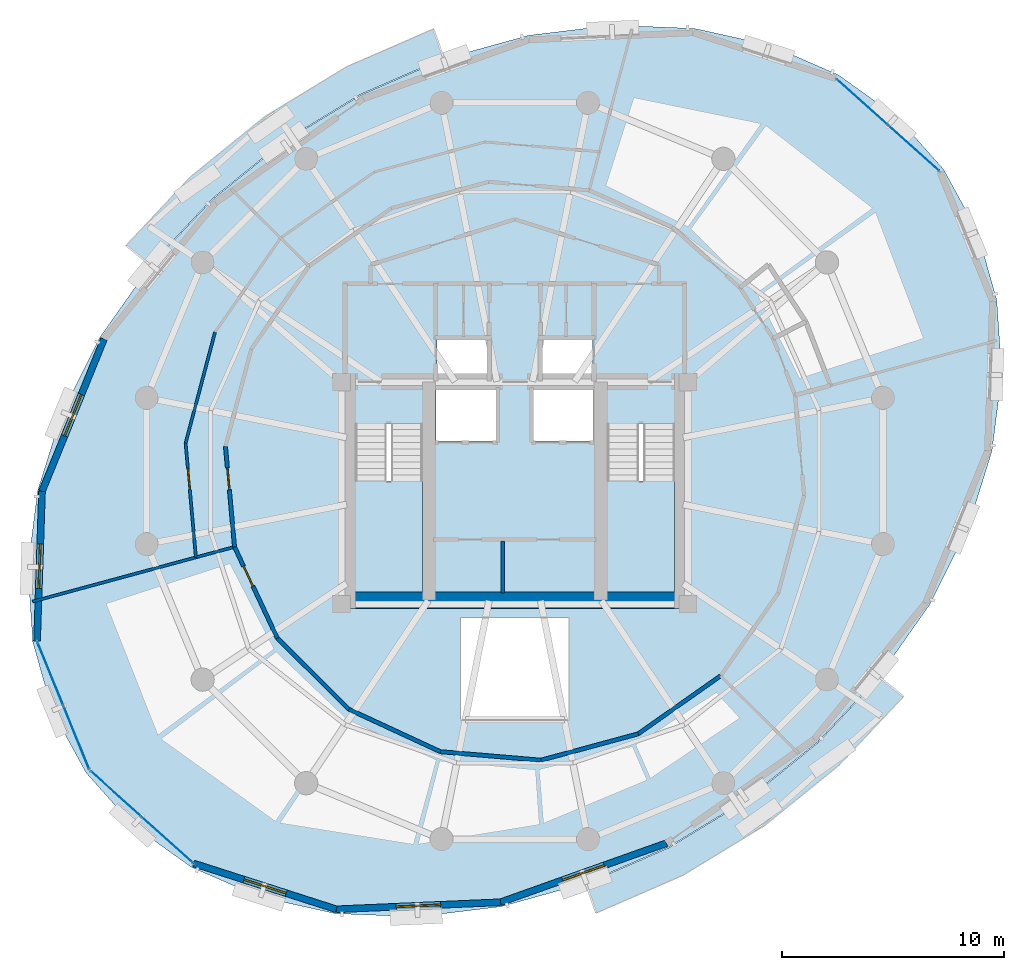
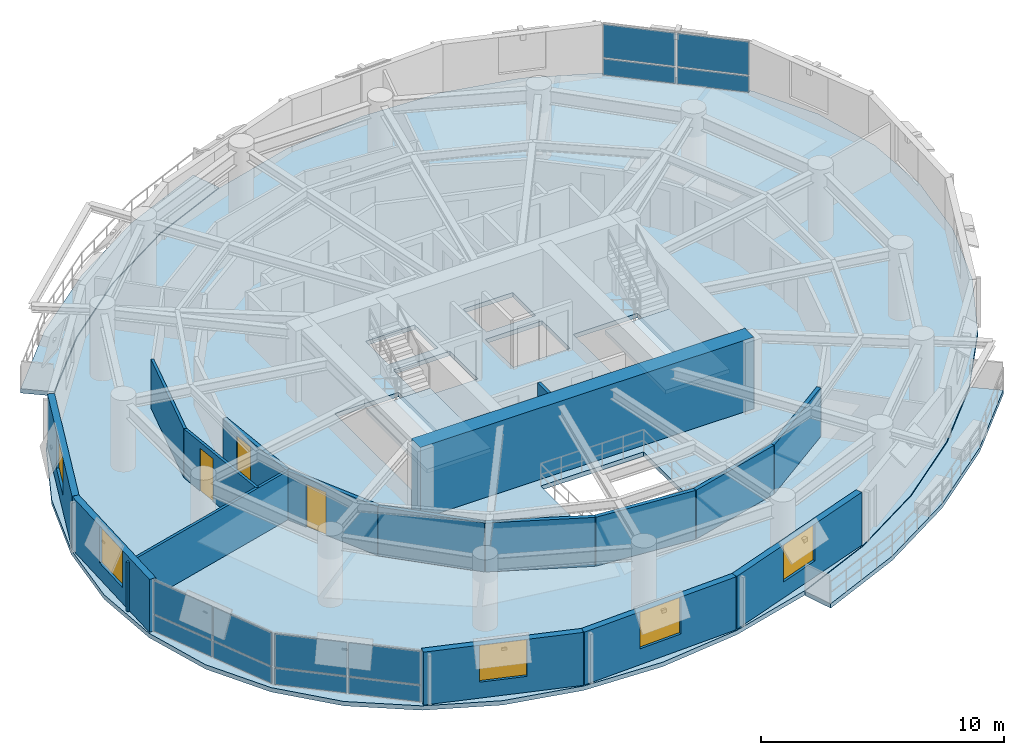
# One storey, part 6 of 11: 17 walls, 12 plates, 5 slabs, 5 windows, 3 doors, 8 openings, 5 elements without a shape of their own.
"""IFC4 building model written with IfcOpenShell, lengths in metres."""

from ifc_helpers import new_model, si_unit, direction, frame, frame_2d, origin, origin_2d, place, context, subcontext, project, spatial, polyline, rectangle, outline, extrude, material, layer, layer_set, type_object, element, fill, aggregate, save


model = new_model("IFC4")

# Units and contexts
model_context = context("Model", 3, precision=1e-05, world=origin(), true_north=direction((0.0, 1.0)))
body_context = subcontext(model_context, "Body", "Model", "MODEL_VIEW")
ifc_project = project(units=[si_unit("LENGTHUNIT", "METRE"), si_unit("AREAUNIT", "SQUARE_METRE"), si_unit("VOLUMEUNIT", "CUBIC_METRE"), si_unit("PLANEANGLEUNIT", "RADIAN"), si_unit("MASSUNIT", "GRAM", prefix="KILO"), si_unit("THERMODYNAMICTEMPERATUREUNIT", "KELVIN"), si_unit("POWERUNIT", "WATT")], contexts=[model_context])

# Site, building, storey
site_placement = place(None, origin())
site = spatial("IfcSite", under=ifc_project, at=site_placement, CompositionType="ELEMENT")
building_placement = place(site_placement, origin())
building = spatial("IfcBuilding", under=site, at=building_placement, Name="Ocrelia Relay Tower", CompositionType="ELEMENT")
storey_placement = place(building_placement, frame((0.0, 0.0, 180.800048828125)))
storey = spatial("IfcBuildingStorey", under=building, at=storey_placement, Name="L43", CompositionType="ELEMENT", Elevation=180.800048828125)

# Curtain wall, plates
ifc_material_1 = material(Name="Aluminium and solar-control low-E glass", Category="aluminium")
ifc_layer_1 = layer(ifc_material_1, 0.179931640625, Name="Aluminium and solar-control low-E glass")
ifc_layer_set_1 = layer_set([ifc_layer_1], Name="Aluminium and solar-control low-E glass")
curtain_wall_type = type_object("IfcCurtainWallType", Name="CW-SYS-Z3-CLOU", PredefinedType="NOTDEFINED", material=ifc_layer_set_1)
curtain_wall_1_placement = place(storey_placement, origin())
curtain_wall_1 = element("IfcCurtainWall", 1, at=curtain_wall_1_placement, inside=storey, type_object=curtain_wall_type, Name="L43 Elliptical Tower Curtain Wall Bay 01", PredefinedType="NOTDEFINED")
ifc_material_2 = material(Name="Clear double-glazed low-E glass", Category="glass")
ifc_layer_2 = layer(ifc_material_2, 0.031982421875, Name="Clear double-glazed low-E glass")
ifc_layer_set_2 = layer_set([ifc_layer_2], Name="Clear double-glazed low-E glass")
plate_type = type_object("IfcPlateType", Name="CW-SYS-Z3-CLOU-PNL", PredefinedType="CURTAIN_PANEL", material=ifc_layer_set_2)
plate_1_placement = place(storey_placement, frame((51.951171875, 40.531005859375, 0.059814453125), z_axis=(0.0, 0.0, 1.0), x_axis=(-0.744665730889, 0.66743759951, 0.0)))
plate_1 = element("IfcPlate", 2, at=plate_1_placement, type_object=plate_type, Name="CW-Z3 panel 1.1", PredefinedType="CURTAIN_PANEL", context=body_context, shape_type="SweptSolid", body=[
    extrude(rectangle(XDim=3.0439453125, YDim=0.031982421875, at=origin_2d()), origin(), (0.0, 0.0, 1.0), 0.81005859375),
])
plate_2_placement = place(storey_placement, frame((51.951171875, 40.531005859375, 0.929931640625), z_axis=(0.0, 0.0, 1.0), x_axis=(-0.744665730889, 0.66743759951, 0.0)))
plate_2 = element("IfcPlate", 3, at=plate_2_placement, type_object=plate_type, Name="CW-Z3 panel 1.2", PredefinedType="CURTAIN_PANEL", context=body_context, shape_type="SweptSolid", body=[
    extrude(rectangle(XDim=3.0439453125, YDim=0.031982421875, at=origin_2d()), origin(), (0.0, 0.0, 1.0), 1.669921875),
])
plate_3_placement = place(storey_placement, frame((49.63623046875, 42.60595703125, 0.059814453125), z_axis=(0.0, 0.0, 1.0), x_axis=(-0.744665730889, 0.66743759951, 0.0)))
plate_3 = element("IfcPlate", 4, at=plate_3_placement, type_object=plate_type, Name="CW-Z3 panel 2.1", PredefinedType="CURTAIN_PANEL", context=body_context, shape_type="SweptSolid", body=[
    extrude(rectangle(XDim=3.0439453125, YDim=0.031982421875, at=origin_2d()), origin(), (0.0, 0.0, 1.0), 0.81005859375),
])
plate_4_placement = place(storey_placement, frame((49.63623046875, 42.60595703125, 0.929931640625), z_axis=(0.0, 0.0, 1.0), x_axis=(-0.744665730889, 0.66743759951, 0.0)))
plate_4 = element("IfcPlate", 5, at=plate_4_placement, type_object=plate_type, Name="CW-Z3 panel 2.2", PredefinedType="CURTAIN_PANEL", context=body_context, shape_type="SweptSolid", body=[
    extrude(rectangle(XDim=3.0439453125, YDim=0.031982421875, at=origin_2d()), origin(), (0.0, 0.0, 1.0), 1.669921875),
])
aggregate(curtain_wall_1, [plate_1, plate_2, plate_3, plate_4])

curtain_wall_2_placement = place(storey_placement, origin())
curtain_wall_2 = element("IfcCurtainWall", 6, at=curtain_wall_2_placement, inside=storey, type_object=curtain_wall_type, Name="L43 Elliptical Tower Curtain Wall Bay 09", PredefinedType="NOTDEFINED")
plate_5_placement = place(storey_placement, frame((13.09521484375, 16.876708984375, 0.059814453125), z_axis=(0.0, 0.0, 1.0), x_axis=(0.377340873582, -0.92607443822, 0.0)))
plate_5 = element("IfcPlate", 7, at=plate_5_placement, type_object=plate_type, Name="CW-Z3 panel 1.1", PredefinedType="CURTAIN_PANEL", context=body_context, shape_type="SweptSolid", body=[
    extrude(rectangle(XDim=3.0439453125, YDim=0.031982421875, at=origin_2d()), origin(), (0.0, 0.0, 1.0), 0.81005859375),
])
plate_6_placement = place(storey_placement, frame((13.09521484375, 16.876708984375, 0.929931640625), z_axis=(0.0, 0.0, 1.0), x_axis=(0.377340873582, -0.92607443822, 0.0)))
plate_6 = element("IfcPlate", 8, at=plate_6_placement, type_object=plate_type, Name="CW-Z3 panel 1.2", PredefinedType="CURTAIN_PANEL", context=body_context, shape_type="SweptSolid", body=[
    extrude(rectangle(XDim=3.0439453125, YDim=0.031982421875, at=origin_2d()), origin(), (0.0, 0.0, 1.0), 1.669921875),
])
plate_7_placement = place(storey_placement, frame((14.268310546875, 13.997802734375, 0.059814453125), z_axis=(0.0, 0.0, 1.0), x_axis=(0.377340873582, -0.92607443822, 0.0)))
plate_7 = element("IfcPlate", 9, at=plate_7_placement, type_object=plate_type, Name="CW-Z3 panel 2.1", PredefinedType="CURTAIN_PANEL", context=body_context, shape_type="SweptSolid", body=[
    extrude(rectangle(XDim=3.0439453125, YDim=0.031982421875, at=origin_2d()), origin(), (0.0, 0.0, 1.0), 0.81005859375),
])
plate_8_placement = place(storey_placement, frame((14.268310546875, 13.997802734375, 0.929931640625), z_axis=(0.0, 0.0, 1.0), x_axis=(0.377340873582, -0.92607443822, 0.0)))
plate_8 = element("IfcPlate", 10, at=plate_8_placement, type_object=plate_type, Name="CW-Z3 panel 2.2", PredefinedType="CURTAIN_PANEL", context=body_context, shape_type="SweptSolid", body=[
    extrude(rectangle(XDim=3.0439453125, YDim=0.031982421875, at=origin_2d()), origin(), (0.0, 0.0, 1.0), 1.669921875),
])
aggregate(curtain_wall_2, [plate_5, plate_6, plate_7, plate_8])

curtain_wall_3_placement = place(storey_placement, origin())
curtain_wall_3 = element("IfcCurtainWall", 11, at=curtain_wall_3_placement, inside=storey, type_object=curtain_wall_type, Name="L43 Elliptical Tower Curtain Wall Bay 10", PredefinedType="NOTDEFINED")
plate_9_placement = place(storey_placement, frame((16.048828125, 11.468994140625, 0.059814453125), z_axis=(0.0, 0.0, 1.0), x_axis=(0.744665730889, -0.66743759951, 0.0)))
plate_9 = element("IfcPlate", 12, at=plate_9_placement, type_object=plate_type, Name="CW-Z3 panel 1.1", PredefinedType="CURTAIN_PANEL", context=body_context, shape_type="SweptSolid", body=[
    extrude(rectangle(XDim=3.0439453125, YDim=0.031982421875, at=origin_2d()), origin(), (0.0, 0.0, 1.0), 0.81005859375),
])
plate_10_placement = place(storey_placement, frame((16.048828125, 11.468994140625, 0.929931640625), z_axis=(0.0, 0.0, 1.0), x_axis=(0.744665730889, -0.66743759951, 0.0)))
plate_10 = element("IfcPlate", 13, at=plate_10_placement, type_object=plate_type, Name="CW-Z3 panel 1.2", PredefinedType="CURTAIN_PANEL", context=body_context, shape_type="SweptSolid", body=[
    extrude(rectangle(XDim=3.0439453125, YDim=0.031982421875, at=origin_2d()), origin(), (0.0, 0.0, 1.0), 1.669921875),
])
plate_11_placement = place(storey_placement, frame((18.36376953125, 9.39404296875, 0.059814453125), z_axis=(0.0, 0.0, 1.0), x_axis=(0.744665730889, -0.66743759951, 0.0)))
plate_11 = element("IfcPlate", 14, at=plate_11_placement, type_object=plate_type, Name="CW-Z3 panel 2.1", PredefinedType="CURTAIN_PANEL", context=body_context, shape_type="SweptSolid", body=[
    extrude(rectangle(XDim=3.0439453125, YDim=0.031982421875, at=origin_2d()), origin(), (0.0, 0.0, 1.0), 0.81005859375),
])
plate_12_placement = place(storey_placement, frame((18.36376953125, 9.39404296875, 0.929931640625), z_axis=(0.0, 0.0, 1.0), x_axis=(0.744665730889, -0.66743759951, 0.0)))
plate_12 = element("IfcPlate", 15, at=plate_12_placement, type_object=plate_type, Name="CW-Z3 panel 2.2", PredefinedType="CURTAIN_PANEL", context=body_context, shape_type="SweptSolid", body=[
    extrude(rectangle(XDim=3.0439453125, YDim=0.031982421875, at=origin_2d()), origin(), (0.0, 0.0, 1.0), 1.669921875),
])
aggregate(curtain_wall_3, [plate_9, plate_10, plate_11, plate_12])

# Slabs
ifc_material_3 = material(Name="Precast concrete C40/50", Category="concrete")
ifc_layer_3 = layer(ifc_material_3, 0.219970703125, Name="Precast concrete C40/50")
ifc_layer_set_3 = layer_set([ifc_layer_3], Name="Precast concrete C40/50")
slab_type_1 = type_object("IfcSlabType", Name="SL-BALC-220", PredefinedType="FLOOR", material=ifc_layer_set_3)
slab_1_placement = place(storey_placement, frame((0.0, 0.0, -0.219970703125)))
element("IfcSlab", 16, at=slab_1_placement, inside=storey, type_object=slab_type_1, Name="L43 Planted Loggia Balcony B1", PredefinedType="FLOOR", context=body_context, shape_type="SweptSolid", body=[
    extrude(outline(polyline([(30.797607421875, 44.582275390625), (28.936279296875, 43.771484375), (27.07470703125, 42.960693359375), (23.562255859375, 40.823974609375), (20.366455078125, 38.2373046875), (18.9755859375, 36.758056640625), (17.584716796875, 35.27880859375), (16.5048828125, 36.15966796875), (17.9619140625, 37.708984375), (19.418701171875, 39.25830078125), (22.760009765625, 41.963134765625), (26.43310546875, 44.197265625), (28.3828125, 45.04638671875), (30.33251953125, 45.895751953125), (30.797607421875, 44.582275390625)])), origin(), (0.0, 0.0, 1.0), 0.219970703125),
])
slab_2_placement = place(storey_placement, frame((0.0, 0.0, -0.219970703125)))
element("IfcSlab", 17, at=slab_2_placement, inside=storey, type_object=slab_type_1, Name="L43 Planted Loggia Balcony B2", PredefinedType="FLOOR", context=body_context, shape_type="SweptSolid", body=[
    extrude(outline(polyline([(37.202392578125, 7.417724609375), (39.063720703125, 8.228515625), (40.92529296875, 9.039306640625), (44.437744140625, 11.176025390625), (47.633544921875, 13.7626953125), (49.0244140625, 15.241943359375), (50.415283203125, 16.72119140625), (51.4951171875, 15.84033203125), (50.0380859375, 14.291015625), (48.581298828125, 12.74169921875), (45.239990234375, 10.036865234375), (41.56689453125, 7.802734375), (39.6171875, 6.95361328125), (37.66748046875, 6.104248046875), (37.202392578125, 7.417724609375)])), origin(), (0.0, 0.0, 1.0), 0.219970703125),
])
ifc_material_4 = material(Name="Concrete C50/60", Category="concrete")
ifc_layer_4 = layer(ifc_material_4, 0.219970703125, Name="Concrete C50/60")
ifc_layer_set_4 = layer_set([ifc_layer_4], Name="Concrete C50/60")
slab_type_2 = type_object("IfcSlabType", Name="SL-FLR-220", PredefinedType="FLOOR", material=ifc_layer_set_4)
slab_3_placement = place(storey_placement, frame((0.0, 0.0, -0.219970703125)))
element("IfcSlab", 18, at=slab_3_placement, inside=storey, type_object=slab_type_2, Name="L43 Elliptical Tower Floor Slab", PredefinedType="FLOOR", context=body_context, shape_type="SweptSolid", body=[
    extrude(outline(polyline([(53.29638671875, 39.5869140625), (51.19384765625, 41.950439453125), (48.568603515625, 43.829345703125), (45.5009765625, 45.16650390625), (42.083740234375, 45.921142578125), (38.4208984375, 46.070556640625), (34.623779296875, 45.610107421875), (30.8076171875, 44.553955078125), (27.088623046875, 42.933837890625), (23.57958984375, 40.79931640625), (20.386962890625, 38.215087890625), (17.608154296875, 35.260009765625), (15.327392578125, 32.023193359375), (13.614013671875, 28.603515625), (12.52001953125, 25.104736328125), (12.07861328125, 21.633056640625), (12.30322265625, 18.294189453125), (13.187255859375, 15.189208984375), (14.70361328125, 12.4130859375), (16.80615234375, 10.049560546875), (19.431396484375, 8.170654296875), (22.4990234375, 6.83349609375), (25.916259765625, 6.078857421875), (29.5791015625, 5.929443359375), (33.376220703125, 6.389892578125), (37.1923828125, 7.446044921875), (40.911376953125, 9.066162109375), (44.42041015625, 11.20068359375), (47.613037109375, 13.784912109375), (50.391845703125, 16.739990234375), (52.672607421875, 19.976806640625), (54.385986328125, 23.396484375), (55.47998046875, 26.895263671875), (55.92138671875, 30.366943359375), (55.69677734375, 33.705810546875), (54.812744140625, 36.810791015625), (53.29638671875, 39.5869140625)]), holes=[polyline([(26.81005859375, 28.14990234375), (26.81005859375, 20.550048828125), (29.85009765625, 20.550048828125), (29.85009765625, 28.14990234375), (26.81005859375, 28.14990234375)]), polyline([(38.159912109375, 28.14990234375), (38.159912109375, 20.550048828125), (41.199951171875, 20.550048828125), (41.199951171875, 28.14990234375), (38.159912109375, 28.14990234375)]), polyline([(30.4599609375, 27.35009765625), (33.159912109375, 27.35009765625), (33.159912109375, 29.64990234375), (30.4599609375, 29.64990234375), (30.4599609375, 27.35009765625)]), polyline([(34.840087890625, 27.35009765625), (37.5400390625, 27.35009765625), (37.5400390625, 29.64990234375), (34.840087890625, 29.64990234375), (34.840087890625, 27.35009765625)]), polyline([(30.5, 30.10009765625), (32.85009765625, 30.10009765625), (32.85009765625, 32.0), (30.5, 32.0), (30.5, 30.10009765625)]), polyline([(35.14990234375, 30.10009765625), (37.5, 30.10009765625), (37.5, 32.0), (35.14990234375, 32.0), (35.14990234375, 30.10009765625)]), polyline([(31.550048828125, 14.800048828125), (36.449951171875, 14.800048828125), (36.449951171875, 19.39990234375), (31.550048828125, 19.39990234375), (31.550048828125, 14.800048828125)])]), origin(), (0.0, 0.0, 1.0), 0.219970703125),
])

# Stair, slab
stair_type = type_object("IfcStairType", Name="ST-DL-1420-R180", PredefinedType="HALF_TURN_STAIR", material=ifc_material_4)
stair_1_placement = place(storey_placement, origin())
stair_1 = element("IfcStair", 19, at=stair_1_placement, inside=storey, type_object=stair_type, Name="L43 West Core Exit Stair ST1", PredefinedType="HALF_TURN_STAIR")
ifc_layer_5 = layer(ifc_material_4, 0.199951171875, Name="Concrete C50/60")
ifc_layer_set_5 = layer_set([ifc_layer_5], Name="Concrete C50/60")
slab_type_3 = type_object("IfcSlabType", Name="SL-LANDING-200", PredefinedType="LANDING", material=ifc_layer_set_5)
slab_4_placement = place(storey_placement, frame((0.0, 0.0, 1.599853515625)))
slab_4 = element("IfcSlab", 20, at=slab_4_placement, type_object=slab_type_3, Name="ST1 landing 1", PredefinedType="LANDING", context=body_context, shape_type="SweptSolid", body=[
    extrude(outline(polyline([(26.81005859375, 25.5400390625), (26.81005859375, 20.550048828125), (29.85009765625, 20.550048828125), (29.85009765625, 25.5400390625), (26.81005859375, 25.5400390625)])), origin(), (0.0, 0.0, 1.0), 0.2001953125),
])
aggregate(stair_1, [slab_4])

stair_2_placement = place(storey_placement, origin())
stair_2 = element("IfcStair", 21, at=stair_2_placement, inside=storey, type_object=stair_type, Name="L43 East Core Exit Stair ST2", PredefinedType="HALF_TURN_STAIR")
slab_5_placement = place(storey_placement, frame((0.0, 0.0, 1.599853515625)))
slab_5 = element("IfcSlab", 22, at=slab_5_placement, type_object=slab_type_3, Name="ST2 landing 1", PredefinedType="LANDING", context=body_context, shape_type="SweptSolid", body=[
    extrude(outline(polyline([(38.159912109375, 25.5400390625), (38.159912109375, 20.550048828125), (41.199951171875, 20.550048828125), (41.199951171875, 25.5400390625), (38.159912109375, 25.5400390625)])), origin(), (0.0, 0.0, 1.0), 0.2001953125),
])
aggregate(stair_2, [slab_5])

# Wall
ifc_material_5 = material(Name="Concrete C60/75", Category="concrete")
ifc_layer_6 = layer(ifc_material_5, 0.75, Name="Concrete C60/75")
ifc_layer_set_6 = layer_set([ifc_layer_6], Name="Concrete C60/75")
wall_type_1 = type_object("IfcWallType", Name="CW-CORE-750", PredefinedType="SHEAR", material=ifc_layer_set_6)
wall_1_placement = place(storey_placement, frame((26.072021484375, 20.18701171875, 0.0), z_axis=(0.0, 0.0, 1.0), x_axis=(1.0, 0.0, 0.0)))
element("IfcWall", 23, at=wall_1_placement, inside=storey, type_object=wall_type_1, Name="L43 Core Shear Wall S", PredefinedType="SHEAR", context=body_context, shape_type="SweptSolid", body=[
    extrude(rectangle(XDim=15.865966796875, YDim=0.75, at=frame_2d((7.93310546875, 0.0))), origin(), (0.0, 0.0, 1.0), 3.599853515625),
])

# Wall, opening, door
ifc_material_6 = material(Name="Gypsum Fireboard Partition EI60", Category="gypsum")
ifc_layer_7 = layer(ifc_material_6, 0.179931640625, Name="Gypsum Fireboard Partition EI60")
ifc_layer_set_7 = layer_set([ifc_layer_7], Name="Gypsum Fireboard Partition EI60")
wall_type_2 = type_object("IfcWallType", Name="W-CORR-EI60-180", PredefinedType="PARTITIONING", material=ifc_layer_set_7)
wall_2_placement = place(storey_placement, frame((20.976806640625, 27.10498046875, 0.0), z_axis=(0.0, 0.0, 1.0), x_axis=(0.089769483635, -0.995962569481, 0.0)))
wall_2 = element("IfcWall", 24, at=wall_2_placement, inside=storey, type_object=wall_type_2, Name="L43 Innovation Club Room Corridor Partition 3", PredefinedType="PARTITIONING", context=body_context, shape_type="SweptSolid", body=[
    extrude(rectangle(XDim=4.5390625, YDim=0.179931640625, at=frame_2d((2.26953125, 0.0))), origin(), (0.0, 0.0, 1.0), 2.4599609375),
])
opening_1_placement = place(wall_2_placement, frame((0.959716796875, 0.0, 0.0)))
opening_1 = element("IfcOpeningElement", 25, at=opening_1_placement, cuts=wall_2, Name="Opening D-RM100", PredefinedType="OPENING", context=body_context, shape_type="SweptSolid", body=[
    extrude(rectangle(XDim=1.0, YDim=2.14990234375, at=frame_2d((0.5, 1.074951171875))), frame((0.0, 0.10009765625, 0.0), z_axis=(0.0, -1.0, 0.0), x_axis=(1.0, 0.0, 0.0)), (0.0, 0.0, 1.0), 0.199951171875),
])
ifc_material_7 = material(Name="Acoustic oak veneer fire door", Category="wood")
door_type_1 = type_object("IfcDoorType", Name="DR-ROOM-FD60-1000", OperationType="NOTDEFINED", PredefinedType="DOOR", material=ifc_material_7)
door_1_placement = place(opening_1_placement, origin())
door_1 = element("IfcDoor", 26, at=door_1_placement, inside=storey, type_object=door_type_1, Name="L43 Innovation Club Room Entrance Door", OperationType="SINGLE_SWING_LEFT", OverallHeight=2.14990234375, OverallWidth=1.0, PredefinedType="DOOR", context=body_context, shape_type="SweptSolid", body=[
    extrude(rectangle(XDim=1.0, YDim=2.14990234375, at=frame_2d((0.5, 1.074951171875))), frame((0.0, 0.02490234375, 0.0), z_axis=(0.0, -1.0, 0.0), x_axis=(1.0, 0.0, 0.0)), (0.0, 0.0, 1.0), 0.050048828125),
])
fill(opening_1, door_1)

wall_3_placement = place(storey_placement, frame((21.38427734375, 22.584228515625, 0.0), z_axis=(0.0, 0.0, 1.0), x_axis=(0.424960205989, -0.905212032248, 0.0)))
wall_3 = element("IfcWall", 27, at=wall_3_placement, inside=storey, type_object=wall_type_2, Name="L43 Spectrum Operations Office Corridor Partition 1", PredefinedType="PARTITIONING", context=body_context, shape_type="SweptSolid", body=[
    extrude(rectangle(XDim=4.5390625, YDim=0.179931640625, at=frame_2d((2.26953125, 0.0))), origin(), (0.0, 0.0, 1.0), 2.4599609375),
])
opening_2_placement = place(wall_3_placement, frame((0.959716796875, 0.0, 0.0)))
opening_2 = element("IfcOpeningElement", 28, at=opening_2_placement, cuts=wall_3, Name="Opening D-RM100", PredefinedType="OPENING", context=body_context, shape_type="SweptSolid", body=[
    extrude(rectangle(XDim=1.0, YDim=2.14990234375, at=frame_2d((0.5, 1.074951171875))), frame((0.0, 0.10009765625, 0.0), z_axis=(0.0, -1.0, 0.0), x_axis=(1.0, 0.0, 0.0)), (0.0, 0.0, 1.0), 0.199951171875),
])
door_2_placement = place(opening_2_placement, origin())
door_2 = element("IfcDoor", 29, at=door_2_placement, inside=storey, type_object=door_type_1, Name="L43 Spectrum Operations Office Entrance Door", OperationType="SINGLE_SWING_LEFT", OverallHeight=2.14990234375, OverallWidth=1.0, PredefinedType="DOOR", context=body_context, shape_type="SweptSolid", body=[
    extrude(rectangle(XDim=1.0, YDim=2.14990234375, at=frame_2d((0.5, 1.074951171875))), frame((0.0, 0.02490234375, 0.0), z_axis=(0.0, -1.0, 0.0), x_axis=(1.0, 0.0, 0.0)), (0.0, 0.0, 1.0), 0.050048828125),
])
fill(opening_2, door_2)

# Walls
for number, where, z_axis, x_axis, name in (
    (30, (23.313232421875, 18.475341796875, 0.0), (0.0, 0.0, 1.0), (0.708986731496, -0.705221819403, 0.0), "L43 Spectrum Operations Office Corridor Partition 2"),
    (31, (26.531494140625, 15.274169921875, 0.0), (0.0, 0.0, 1.0), (0.907398164441, -0.420272020446, 0.0), "L43 Spectrum Operations Office Corridor Partition 3"),
):
    element("IfcWall", number, at=place(storey_placement, frame(where, z_axis=z_axis, x_axis=x_axis)), inside=storey, type_object=wall_type_2, Name=name, PredefinedType="PARTITIONING", context=body_context, shape_type="SweptSolid", body=[
        extrude(rectangle(XDim=4.539306640625, YDim=0.179931640625, at=frame_2d((2.26953125, 0.0))), origin(), (0.0, 0.0, 1.0), 2.4599609375),
    ])
wall_4_placement = place(storey_placement, frame((30.650390625, 13.366455078125, 0.0), z_axis=(0.0, 0.0, 1.0), x_axis=(0.996423393866, -0.084501006843, 0.0)))
element("IfcWall", 32, at=wall_4_placement, inside=storey, type_object=wall_type_2, Name="L43 Spectrum Operations Office Corridor Partition 4", PredefinedType="PARTITIONING", context=body_context, shape_type="SweptSolid", body=[
    extrude(rectangle(XDim=4.538818359375, YDim=0.179931640625, at=frame_2d((2.26953125, 0.0))), origin(), (0.0, 0.0, 1.0), 2.4599609375),
])
wall_5_placement = place(storey_placement, frame((35.173095703125, 12.98291015625, 0.0), z_axis=(0.0, 0.0, 1.0), x_axis=(0.965248703795, 0.261333005613, 0.0)))
element("IfcWall", 33, at=wall_5_placement, inside=storey, type_object=wall_type_2, Name="L43 Spectrum Operations Office Corridor Partition 5", PredefinedType="PARTITIONING", context=body_context, shape_type="SweptSolid", body=[
    extrude(rectangle(XDim=4.539306640625, YDim=0.179931640625, at=frame_2d((2.26953125, 0.0))), origin(), (0.0, 0.0, 1.0), 2.4599609375),
])
wall_6_placement = place(storey_placement, frame((39.5546875, 14.169189453125, 0.0), z_axis=(0.0, 0.0, 1.0), x_axis=(0.817672323989, 0.575683915515, 0.0)))
element("IfcWall", 34, at=wall_6_placement, inside=storey, type_object=wall_type_2, Name="L43 Spectrum Operations Office Corridor Partition 6", PredefinedType="PARTITIONING", context=body_context, shape_type="SweptSolid", body=[
    extrude(rectangle(XDim=4.5390625, YDim=0.179931640625, at=frame_2d((2.26953125, 0.0))), origin(), (0.0, 0.0, 1.0), 2.4599609375),
])

# Wall, opening, window
ifc_material_8 = material(Name="Precast concrete C40/50 with oxide terracotta", Category="masonry")
ifc_layer_8 = layer(ifc_material_8, 0.300048828125, Name="Precast concrete C40/50 with oxide terracotta")
ifc_layer_set_8 = layer_set([ifc_layer_8], Name="Precast concrete C40/50 with oxide terracotta")
wall_type_3 = type_object("IfcWallType", Name="W-EXT-TERR-300", PredefinedType="SOLIDWALL", material=ifc_layer_set_8)
wall_7_placement = place(storey_placement, frame((15.5087890625, 31.939208984375, 0.0), z_axis=(0.0, 0.0, 1.0), x_axis=(-0.377124954744, -0.926162387764, 0.0)))
wall_7 = element("IfcWall", 35, at=wall_7_placement, inside=storey, type_object=wall_type_3, Name="L43 Oxide Terracotta Facade Wall 07", PredefinedType="SOLIDWALL", context=body_context, shape_type="SweptSolid", body=[
    extrude(rectangle(XDim=7.3974609375, YDim=0.300048828125, at=frame_2d((3.69873046875, 0.0))), origin(), (0.0, 0.0, 1.0), 2.659912109375),
])
opening_3_placement = place(wall_7_placement, frame((2.698974609375, 0.0, 0.800048828125)))
opening_3 = element("IfcOpeningElement", 36, at=opening_3_placement, cuts=wall_7, Name="Opening W-03", PredefinedType="OPENING", context=body_context, shape_type="SweptSolid", body=[
    extrude(rectangle(XDim=2.0, YDim=1.85009765625, at=frame_2d((1.0, 0.925048828125))), frame((0.0, 0.16015625, 0.0), z_axis=(0.0, -1.0, 0.0), x_axis=(1.0, 0.0, 0.0)), (0.0, 0.0, 1.0), 0.320068359375),
])
window_type = type_object("IfcWindowType", Name="WIN-Z3-2000x2200", PartitioningType="DOUBLE_PANEL_VERTICAL", PredefinedType="WINDOW", material=ifc_material_2)
window_1_placement = place(opening_3_placement, origin())
window_1 = element("IfcWindow", 37, at=window_1_placement, inside=storey, type_object=window_type, Name="L43 Facade Module Window 07", OverallHeight=1.85009765625, OverallWidth=2.0, PartitioningType="SINGLE_PANEL", PredefinedType="WINDOW", context=body_context, shape_type="SweptSolid", body=[
    extrude(rectangle(XDim=2.0, YDim=1.85009765625, at=frame_2d((1.0, 0.925048828125))), frame((0.0, 0.030029296875, 0.0), z_axis=(0.0, -1.0, 0.0), x_axis=(1.0, 0.0, 0.0)), (0.0, 0.0, 1.0), 0.06005859375),
])
fill(opening_3, window_1)

wall_8_placement = place(storey_placement, frame((12.718994140625, 25.087890625, 0.0), z_axis=(0.0, 0.0, 1.0), x_axis=(-0.033009922207, -0.999455024019, 0.0)))
wall_8 = element("IfcWall", 38, at=wall_8_placement, inside=storey, type_object=wall_type_3, Name="L43 Oxide Terracotta Facade Wall 08", PredefinedType="SOLIDWALL", context=body_context, shape_type="SweptSolid", body=[
    extrude(rectangle(XDim=6.7451171875, YDim=0.300048828125, at=frame_2d((3.37255859375, 0.0))), origin(), (0.0, 0.0, 1.0), 2.659912109375),
])
opening_4_placement = place(wall_8_placement, frame((2.373046875, 0.0, 0.800048828125)))
opening_4 = element("IfcOpeningElement", 39, at=opening_4_placement, cuts=wall_8, Name="Opening W-03", PredefinedType="OPENING", context=body_context, shape_type="SweptSolid", body=[
    extrude(rectangle(XDim=2.0, YDim=1.85009765625, at=frame_2d((1.0, 0.925048828125))), frame((0.0, 0.16015625, 0.0), z_axis=(0.0, -1.0, 0.0), x_axis=(1.0, 0.0, 0.0)), (0.0, 0.0, 1.0), 0.320068359375),
])
window_2_placement = place(opening_4_placement, origin())
window_2 = element("IfcWindow", 40, at=window_2_placement, inside=storey, type_object=window_type, Name="L43 Facade Module Window 08", OverallHeight=1.85009765625, OverallWidth=2.0, PartitioningType="SINGLE_PANEL", PredefinedType="WINDOW", context=body_context, shape_type="SweptSolid", body=[
    extrude(rectangle(XDim=2.0, YDim=1.85009765625, at=frame_2d((1.0, 0.925048828125))), frame((0.0, 0.030029296875, 0.0), z_axis=(0.0, -1.0, 0.0), x_axis=(1.0, 0.0, 0.0)), (0.0, 0.0, 1.0), 0.06005859375),
])
fill(opening_4, window_2)

wall_9_placement = place(storey_placement, frame((19.54541015625, 8.3349609375, 0.0), z_axis=(0.0, 0.0, 1.0), x_axis=(0.952093689629, -0.305806484838, 0.0)))
wall_9 = element("IfcWall", 41, at=wall_9_placement, inside=storey, type_object=wall_type_3, Name="L43 Oxide Terracotta Facade Wall 11", PredefinedType="SOLIDWALL", context=body_context, shape_type="SweptSolid", body=[
    extrude(rectangle(XDim=6.745361328125, YDim=0.300048828125, at=frame_2d((3.37255859375, 0.0))), origin(), (0.0, 0.0, 1.0), 2.659912109375),
])
opening_5_placement = place(wall_9_placement, frame((2.373046875, 0.0, 0.800048828125)))
opening_5 = element("IfcOpeningElement", 42, at=opening_5_placement, cuts=wall_9, Name="Opening W-03", PredefinedType="OPENING", context=body_context, shape_type="SweptSolid", body=[
    extrude(rectangle(XDim=2.0, YDim=1.85009765625, at=frame_2d((1.0, 0.925048828125))), frame((0.0, 0.16015625, 0.0), z_axis=(0.0, -1.0, 0.0), x_axis=(1.0, 0.0, 0.0)), (0.0, 0.0, 1.0), 0.320068359375),
])
window_3_placement = place(opening_5_placement, origin())
window_3 = element("IfcWindow", 43, at=window_3_placement, inside=storey, type_object=window_type, Name="L43 Facade Module Window 11", OverallHeight=1.85009765625, OverallWidth=2.0, PartitioningType="SINGLE_PANEL", PredefinedType="WINDOW", context=body_context, shape_type="SweptSolid", body=[
    extrude(rectangle(XDim=2.0, YDim=1.85009765625, at=frame_2d((1.0, 0.925048828125))), frame((0.0, 0.030029296875, 0.0), z_axis=(0.0, -1.0, 0.0), x_axis=(1.0, 0.0, 0.0)), (0.0, 0.0, 1.0), 0.06005859375),
])
fill(opening_5, window_3)

wall_10_placement = place(storey_placement, frame((25.967529296875, 6.272216796875, 0.0), z_axis=(0.0, 0.0, 1.0), x_axis=(0.999082008159, 0.042838545408, 0.0)))
wall_10 = element("IfcWall", 44, at=wall_10_placement, inside=storey, type_object=wall_type_3, Name="L43 Oxide Terracotta Facade Wall 12", PredefinedType="SOLIDWALL", context=body_context, shape_type="SweptSolid", body=[
    extrude(rectangle(XDim=7.3974609375, YDim=0.300048828125, at=frame_2d((3.69873046875, 0.0))), origin(), (0.0, 0.0, 1.0), 2.659912109375),
])
opening_6_placement = place(wall_10_placement, frame((2.698974609375, 0.0, 0.800048828125)))
opening_6 = element("IfcOpeningElement", 45, at=opening_6_placement, cuts=wall_10, Name="Opening W-03", PredefinedType="OPENING", context=body_context, shape_type="SweptSolid", body=[
    extrude(rectangle(XDim=2.0, YDim=1.85009765625, at=frame_2d((1.0, 0.925048828125))), frame((0.0, 0.16015625, 0.0), z_axis=(0.0, -1.0, 0.0), x_axis=(1.0, 0.0, 0.0)), (0.0, 0.0, 1.0), 0.320068359375),
])
window_4_placement = place(opening_6_placement, origin())
window_4 = element("IfcWindow", 46, at=window_4_placement, inside=storey, type_object=window_type, Name="L43 Facade Module Window 12", OverallHeight=1.85009765625, OverallWidth=2.0, PartitioningType="SINGLE_PANEL", PredefinedType="WINDOW", context=body_context, shape_type="SweptSolid", body=[
    extrude(rectangle(XDim=2.0, YDim=1.85009765625, at=frame_2d((1.0, 0.925048828125))), frame((0.0, 0.030029296875, 0.0), z_axis=(0.0, -1.0, 0.0), x_axis=(1.0, 0.0, 0.0)), (0.0, 0.0, 1.0), 0.06005859375),
])
fill(opening_6, window_4)

wall_11_placement = place(storey_placement, frame((33.358154296875, 6.589111328125, 0.0), z_axis=(0.0, 0.0, 1.0), x_axis=(0.942112030953, 0.335298256979, 0.0)))
wall_11 = element("IfcWall", 47, at=wall_11_placement, inside=storey, type_object=wall_type_3, Name="L43 Oxide Terracotta Facade Wall 13", PredefinedType="SOLIDWALL", context=body_context, shape_type="SweptSolid", body=[
    extrude(rectangle(XDim=7.92724609375, YDim=0.300048828125, at=frame_2d((3.963623046875, 0.0))), origin(), (0.0, 0.0, 1.0), 2.659912109375),
])
opening_7_placement = place(wall_11_placement, frame((2.964111328125, 0.0, 0.800048828125)))
opening_7 = element("IfcOpeningElement", 48, at=opening_7_placement, cuts=wall_11, Name="Opening W-03", PredefinedType="OPENING", context=body_context, shape_type="SweptSolid", body=[
    extrude(rectangle(XDim=2.0, YDim=1.85009765625, at=frame_2d((1.0, 0.925048828125))), frame((0.0, 0.16015625, 0.0), z_axis=(0.0, -1.0, 0.0), x_axis=(1.0, 0.0, 0.0)), (0.0, 0.0, 1.0), 0.320068359375),
])
window_5_placement = place(opening_7_placement, origin())
window_5 = element("IfcWindow", 49, at=window_5_placement, inside=storey, type_object=window_type, Name="L43 Facade Module Window 13", OverallHeight=1.85009765625, OverallWidth=2.0, PartitioningType="SINGLE_PANEL", PredefinedType="WINDOW", context=body_context, shape_type="SweptSolid", body=[
    extrude(rectangle(XDim=2.0, YDim=1.85009765625, at=frame_2d((1.0, 0.925048828125))), frame((0.0, 0.030029296875, 0.0), z_axis=(0.0, -1.0, 0.0), x_axis=(1.0, 0.0, 0.0)), (0.0, 0.0, 1.0), 0.06005859375),
])
fill(opening_7, window_5)

# Walls
ifc_material_9 = material(Name="Acoustic Fireboard Partition EI60", Category="gypsum")
ifc_layer_9 = layer(ifc_material_9, 0.125, Name="Acoustic Fireboard Partition EI60")
ifc_layer_set_9 = layer_set([ifc_layer_9], Name="Acoustic Fireboard Partition EI60")
wall_type_4 = type_object("IfcWallType", Name="W-PART-125", PredefinedType="PARTITIONING", material=ifc_layer_set_9)
wall_12_placement = place(storey_placement, frame((21.38427734375, 22.584228515625, 0.0), z_axis=(0.0, 0.0, 1.0), x_axis=(-0.965243270731, -0.261353072122, 0.0)))
element("IfcWall", 50, at=wall_12_placement, inside=storey, type_object=wall_type_4, Name="L43 Innovation Club Room Radial Partition", PredefinedType="PARTITIONING", context=body_context, shape_type="SweptSolid", body=[
    extrude(rectangle(XDim=9.416259765625, YDim=0.125, at=frame_2d((4.7080078125, 0.0))), origin(), (0.0, 0.0, 1.0), 2.4599609375),
])
wall_13_placement = place(storey_placement, frame((20.5068359375, 32.2490234375, 0.0), z_axis=(0.0, 0.0, 1.0), x_axis=(-0.256314822001, -0.966593354013, 0.0)))
element("IfcWall", 51, at=wall_13_placement, inside=storey, type_object=wall_type_4, Name="L43 Perimeter Innovation Club Room Mid-Ring Partition 2", PredefinedType="PARTITIONING", context=body_context, shape_type="SweptSolid", body=[
    extrude(rectangle(XDim=5.16455078125, YDim=0.125, at=frame_2d((2.582275390625, 0.0))), origin(), (0.0, 0.0, 1.0), 2.4599609375),
])

# Wall, opening, door
wall_14_placement = place(storey_placement, frame((19.18310546875, 27.257080078125, 0.0), z_axis=(0.0, 0.0, 1.0), x_axis=(0.089776979935, -0.995961893786, 0.0)))
wall_14 = element("IfcWall", 52, at=wall_14_placement, inside=storey, type_object=wall_type_4, Name="L43 Perimeter Innovation Club Room Mid-Ring Partition 3", PredefinedType="PARTITIONING", context=body_context, shape_type="SweptSolid", body=[
    extrude(rectangle(XDim=5.1640625, YDim=0.125, at=frame_2d((2.58203125, 0.0))), origin(), (0.0, 0.0, 1.0), 2.4599609375),
])
opening_8_placement = place(wall_14_placement, frame((1.1435546875, 0.0, 0.0)))
opening_8 = element("IfcOpeningElement", 53, at=opening_8_placement, cuts=wall_14, Name="Opening D-RM95", PredefinedType="OPENING", context=body_context, shape_type="SweptSolid", body=[
    extrude(rectangle(XDim=0.949951171875, YDim=2.14990234375, at=frame_2d((0.47509765625, 1.074951171875))), frame((0.0, 0.072509765625, 0.0), z_axis=(0.0, -1.0, 0.0), x_axis=(1.0, 0.0, 0.0)), (0.0, 0.0, 1.0), 0.14501953125),
])
door_type_2 = type_object("IfcDoorType", Name="DR-ROOM-950", OperationType="NOTDEFINED", PredefinedType="DOOR", material=ifc_material_7)
door_3_placement = place(opening_8_placement, origin())
door_3 = element("IfcDoor", 54, at=door_3_placement, inside=storey, type_object=door_type_2, Name="L43 Perimeter Innovation Club Room Connecting Door", OperationType="SINGLE_SWING_RIGHT", OverallHeight=2.14990234375, OverallWidth=0.949951171875, PredefinedType="DOOR", context=body_context, shape_type="SweptSolid", body=[
    extrude(rectangle(XDim=0.949951171875, YDim=2.14990234375, at=frame_2d((0.47509765625, 1.074951171875))), frame((0.0, 0.02490234375, 0.0), z_axis=(0.0, -1.0, 0.0), x_axis=(1.0, 0.0, 0.0)), (0.0, 0.0, 1.0), 0.050048828125),
])
fill(opening_8, door_3)

# Wall
ifc_layer_10 = layer(ifc_material_9, 0.14990234375, Name="Acoustic Fireboard Partition EI60")
ifc_layer_set_10 = layer_set([ifc_layer_10], Name="Acoustic Fireboard Partition EI60")
wall_type_5 = type_object("IfcWallType", Name="W-PART-150", PredefinedType="PARTITIONING", material=ifc_layer_set_10)
wall_15_placement = place(storey_placement, frame((33.4599609375, 20.5, 0.0), z_axis=(0.0, 0.0, 1.0), x_axis=(0.0, 1.0, 0.0)))
element("IfcWall", 55, at=wall_15_placement, inside=storey, type_object=wall_type_5, Name="L43 Reclaimed Core Dividing Wall", PredefinedType="PARTITIONING", context=body_context, shape_type="SweptSolid", body=[
    extrude(rectangle(XDim=2.340087890625, YDim=0.14990234375, at=frame_2d((1.169921875, 0.0))), origin(), (0.0, 0.0, 1.0), 2.4599609375),
])

save(model, "model.ifc")
